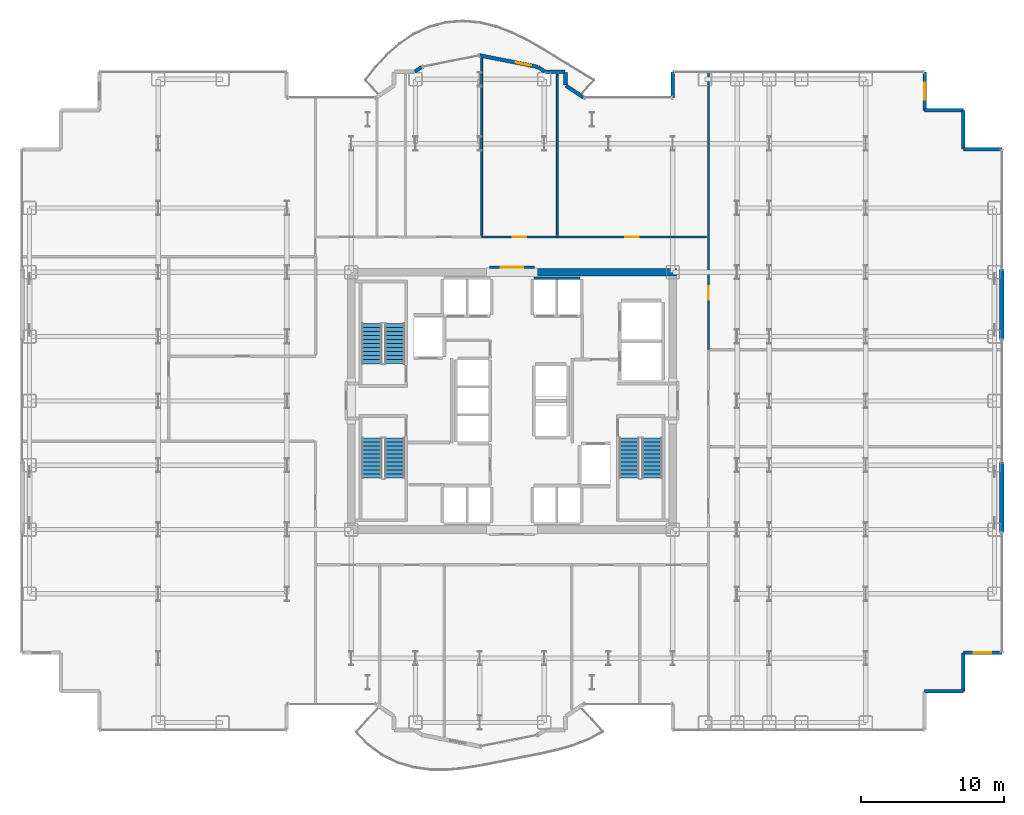
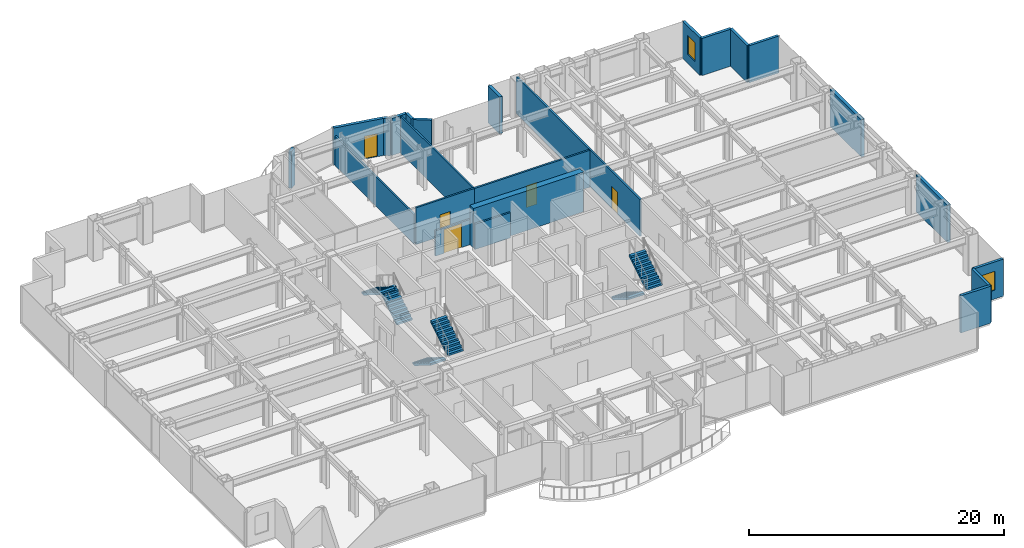
# One storey, part 26 of 28: 24 walls, 6 stair flights, 5 doors, 2 windows, 7 openings, 3 elements without a shape of their own.
"""IFC4 building model written with IfcOpenShell, lengths in metres."""

from ifc_helpers import new_model, si_unit, direction, frame, frame_2d, origin, place, context, subcontext, project, spatial, polyline, rectangle, outline, extrude, source, transform, mapped, material, layer, layer_set, type_object, element, fill, aggregate, save


model = new_model("IFC4")

# Units and contexts
model_context = context("Model", 3, precision=1e-05, world=origin(), true_north=direction((0.0, 1.0)))
body_context = subcontext(model_context, "Body", "Model", "MODEL_VIEW")
ifc_project = project(units=[si_unit("LENGTHUNIT", "METRE"), si_unit("AREAUNIT", "SQUARE_METRE"), si_unit("VOLUMEUNIT", "CUBIC_METRE"), si_unit("PLANEANGLEUNIT", "RADIAN"), si_unit("MASSUNIT", "GRAM", prefix="KILO")], contexts=[model_context])

# Site, building, storey
site_placement = place(None, origin())
site = spatial("IfcSite", under=ifc_project, at=site_placement, CompositionType="ELEMENT")
building_placement = place(site_placement, origin())
building = spatial("IfcBuilding", under=site, at=building_placement, Name="Nefas-Gora Pilgrimage Tower", CompositionType="ELEMENT")
storey_placement = place(building_placement, frame((0.0, 0.0, 102.199951171875)))
storey = spatial("IfcBuildingStorey", under=building, at=storey_placement, Name="L24", CompositionType="ELEMENT", Elevation=102.199951171875)

# Walls
ifc_material_1 = material(Name="Concrete C60/75", Category="concrete")
ifc_layer_1 = layer(ifc_material_1, 0.550048828125)
ifc_layer_set_1 = layer_set([ifc_layer_1], Name="Concrete C60/75")
wall_type_1 = type_object("IfcWallType", Name="SW-CORE-550", PredefinedType="SHEAR", material=ifc_layer_set_1)
shared_shape_1 = source(origin(), body_context, "Body", "SweptSolid", [
    extrude(rectangle(XDim=9.974853515625, YDim=0.550048828125, at=frame_2d((4.9873046875, 0.0))), origin(), (0.0, 0.0, 1.0), 3.800048828125),
])
wall_1_placement = place(storey_placement, frame((1.550048828125, 9.0, 0.0), z_axis=(0.0, 0.0, 1.0), x_axis=(1.0, 0.0, 0.0)))
element("IfcWall", 1, at=wall_1_placement, inside=storey, type_object=wall_type_1, Name="L24 Core Shear Wall N-East", PredefinedType="SHEAR", context=body_context, shape_type="MappedRepresentation", body=[
    mapped(shared_shape_1, transform((0.0, 0.0, 0.0), x_axis=(1.0, 0.0, 0.0), y_axis=(0.0, 1.0, 0.0), z_axis=(0.0, 0.0, 1.0), scale=1.0)),
])
ifc_material_2 = material(Name="Precast concrete C45/55", Category="concrete")
ifc_layer_2 = layer(ifc_material_2, 0.239990234375)
ifc_layer_set_2 = layer_set([ifc_layer_2], Name="Precast concrete C45/55")
wall_type_2 = type_object("IfcWallType", Name="EW-SERR-240", PredefinedType="SHEAR", material=ifc_layer_set_2)
shared_shape_2 = source(origin(), body_context, "Body", "SweptSolid", [
    extrude(rectangle(XDim=4.8798828125, YDim=0.300048828125, at=frame_2d((2.43994140625, 0.0))), origin(), (0.0, 0.0, 1.0), 3.550048828125),
])
for number, where, z_axis, x_axis, name in (
    (2, (34.27001953125, -9.18994140625, 0.0), (0.0, 0.0, 1.0), (0.0, 1.0, 0.0), "L24 Braced-Tube Precast Shear Cladding 3"),
    (3, (34.27001953125, 4.31005859375, 0.0), (0.0, 0.0, 1.0), (0.0, 1.0, 0.0), "L24 Braced-Tube Precast Shear Cladding 4"),
):
    element("IfcWall", number, at=place(storey_placement, frame(where, z_axis=z_axis, x_axis=x_axis)), inside=storey, type_object=wall_type_2, Name=name, PredefinedType="SHEAR", context=body_context, shape_type="MappedRepresentation", body=[
        mapped(shared_shape_2, transform((0.0, 0.0, 0.0), x_axis=(1.0, 0.0, 0.0), y_axis=(0.0, 1.0, 0.0), z_axis=(0.0, 0.0, 1.0), scale=1.0)),
    ])
ifc_material_3 = material(Name="Precast concrete C40/50", Category="concrete")
ifc_layer_3 = layer(ifc_material_3, 0.260009765625)
ifc_layer_set_3 = layer_set([ifc_layer_3], Name="Precast concrete C40/50")
wall_type_3 = type_object("IfcWallType", Name="EW-PORTAL-260", PredefinedType="SOLIDWALL", material=ifc_layer_set_3)
shared_shape_3 = source(origin(), body_context, "Body", "SweptSolid", [
    extrude(rectangle(XDim=1.800048828125, YDim=0.260009765625, at=frame_2d((0.89990234375, 0.0))), origin(), (0.0, 0.0, 1.0), 3.550048828125),
])
wall_2_placement = place(storey_placement, frame((11.25, 23.02001953125, 0.0), z_axis=(0.0, 0.0, 1.0), x_axis=(0.0, -1.0, 0.0)))
element("IfcWall", 4, at=wall_2_placement, inside=storey, type_object=wall_type_3, Name="L24 Lobe Shoulder Precast Spandrel Pier 14", PredefinedType="SOLIDWALL", context=body_context, shape_type="MappedRepresentation", body=[
    mapped(shared_shape_3, transform((0.0, 0.0, 0.0), x_axis=(1.0, 0.0, 0.0), y_axis=(0.0, 1.0, 0.0), z_axis=(0.0, 0.0, 1.0), scale=1.0)),
])
shared_shape_4 = source(origin(), body_context, "Body", "SweptSolid", [
    extrude(rectangle(XDim=2.699951171875, YDim=0.239990234375, at=frame_2d((1.35009765625, 0.0))), origin(), (0.0, 0.0, 1.0), 3.550048828125),
])
for number, where, z_axis, x_axis, name in (
    (5, (28.8701171875, -20.320068359375, 0.0), (0.0, 0.0, 1.0), (1.0, 0.0, 0.0), "L24 Serrated Corner Shear Pier Wall 7"),
    (6, (31.570068359375, -20.320068359375, 0.0), (0.0, 0.0, 1.0), (0.0, 1.0, 0.0), "L24 Serrated Corner Shear Pier Wall 8"),
):
    element("IfcWall", number, at=place(storey_placement, frame(where, z_axis=z_axis, x_axis=x_axis)), inside=storey, type_object=wall_type_2, Name=name, PredefinedType="SHEAR", context=body_context, shape_type="MappedRepresentation", body=[
        mapped(shared_shape_4, transform((0.0, 0.0, 0.0), x_axis=(1.0, 0.0, 0.0), y_axis=(0.0, 1.0, 0.0), z_axis=(0.0, 0.0, 1.0), scale=1.0)),
    ])

# Wall, opening, window
wall_3_placement = place(storey_placement, frame((31.570068359375, -17.6201171875, 0.0), z_axis=(0.0, 0.0, 1.0), x_axis=(1.0, 0.0, 0.0)))
wall_3 = element("IfcWall", 7, at=wall_3_placement, inside=storey, type_object=wall_type_2, Name="L24 Serrated Corner Shear Pier Wall 9", PredefinedType="SHEAR", context=body_context, shape_type="MappedRepresentation", body=[
    mapped(shared_shape_4, transform((0.0, 0.0, 0.0), x_axis=(1.0, 0.0, 0.0), y_axis=(0.0, 1.0, 0.0), z_axis=(0.0, 0.0, 1.0), scale=1.0)),
])
opening_1_placement = place(wall_3_placement, frame((0.75, 0.0, 0.85009765625)))
opening_1 = element("IfcOpeningElement", 8, at=opening_1_placement, cuts=wall_3, Name="Opening W-V1", PredefinedType="OPENING", context=body_context, shape_type="SweptSolid", body=[
    extrude(rectangle(XDim=1.199951171875, YDim=1.800048828125, at=frame_2d((0.60009765625, 0.89990234375))), frame((0.0, 0.1298828125, 0.0), z_axis=(0.0, -1.0, 0.0), x_axis=(1.0, 0.0, 0.0)), (0.0, 0.0, 1.0), 0.260009765625),
])
ifc_material_4 = material(Name="Dark ceramic-fritted operable aluminium-glass window", Category="aluminium")
window_type = type_object("IfcWindowType", Name="WIN-VENT-1200x1800", PartitioningType="SINGLE_PANEL", PredefinedType="WINDOW", material=ifc_material_4)
shared_shape_5 = source(origin(), body_context, "Body", "SweptSolid", [
    extrude(rectangle(XDim=1.199951171875, YDim=1.800048828125, at=frame_2d((0.60009765625, 0.89990234375))), frame((0.0, 0.030029296875, 0.0), z_axis=(0.0, -1.0, 0.0), x_axis=(1.0, 0.0, 0.0)), (0.0, 0.0, 1.0), 0.06005859375),
])
window_1_placement = place(opening_1_placement, origin())
window_1 = element("IfcWindow", 9, at=window_1_placement, inside=storey, type_object=window_type, Name="L24 Operable Parallel-Outswing Window 9", OverallHeight=1.800048828125, OverallWidth=1.199951171875, PartitioningType="SINGLE_PANEL", PredefinedType="WINDOW", context=body_context, shape_type="MappedRepresentation", body=[
    mapped(shared_shape_5, transform((0.0, 0.0, 0.0), x_axis=(1.0, 0.0, 0.0), y_axis=(0.0, 1.0, 0.0), z_axis=(0.0, 0.0, 1.0), scale=1.0)),
])
fill(opening_1, window_1)

# Walls
for number, where, z_axis, x_axis, name in (
    (10, (34.27001953125, 17.6201171875, 0.0), (0.0, 0.0, 1.0), (-1.0, 0.0, 0.0), "L24 Serrated Corner Shear Pier Wall 10"),
    (11, (31.570068359375, 17.6201171875, 0.0), (0.0, 0.0, 1.0), (0.0, 1.0, 0.0), "L24 Serrated Corner Shear Pier Wall 11"),
    (12, (31.570068359375, 20.320068359375, 0.0), (0.0, 0.0, 1.0), (-1.0, 0.0, 0.0), "L24 Serrated Corner Shear Pier Wall 12"),
):
    element("IfcWall", number, at=place(storey_placement, frame(where, z_axis=z_axis, x_axis=x_axis)), inside=storey, type_object=wall_type_2, Name=name, PredefinedType="SHEAR", context=body_context, shape_type="MappedRepresentation", body=[
        mapped(shared_shape_4, transform((0.0, 0.0, 0.0), x_axis=(1.0, 0.0, 0.0), y_axis=(0.0, 1.0, 0.0), z_axis=(0.0, 0.0, 1.0), scale=1.0)),
    ])

# Wall, opening, window
wall_4_placement = place(storey_placement, frame((28.8701171875, 20.320068359375, 0.0), z_axis=(0.0, 0.0, 1.0), x_axis=(0.0, 1.0, 0.0)))
wall_4 = element("IfcWall", 13, at=wall_4_placement, inside=storey, type_object=wall_type_2, Name="L24 Serrated Corner Shear Pier Wall 13", PredefinedType="SHEAR", context=body_context, shape_type="MappedRepresentation", body=[
    mapped(shared_shape_4, transform((0.0, 0.0, 0.0), x_axis=(1.0, 0.0, 0.0), y_axis=(0.0, 1.0, 0.0), z_axis=(0.0, 0.0, 1.0), scale=1.0)),
])
opening_2_placement = place(wall_4_placement, frame((0.75, 0.0, 0.85009765625)))
opening_2 = element("IfcOpeningElement", 14, at=opening_2_placement, cuts=wall_4, Name="Opening W-V1", PredefinedType="OPENING", context=body_context, shape_type="SweptSolid", body=[
    extrude(rectangle(XDim=1.199951171875, YDim=1.800048828125, at=frame_2d((0.60009765625, 0.89990234375))), frame((0.0, 0.1298828125, 0.0), z_axis=(0.0, -1.0, 0.0), x_axis=(1.0, 0.0, 0.0)), (0.0, 0.0, 1.0), 0.260009765625),
])
window_2_placement = place(opening_2_placement, origin())
window_2 = element("IfcWindow", 15, at=window_2_placement, inside=storey, type_object=window_type, Name="L24 Operable Parallel-Outswing Window 13", OverallHeight=1.800048828125, OverallWidth=1.199951171875, PartitioningType="SINGLE_PANEL", PredefinedType="WINDOW", context=body_context, shape_type="MappedRepresentation", body=[
    mapped(shared_shape_5, transform((0.0, 0.0, 0.0), x_axis=(1.0, 0.0, 0.0), y_axis=(0.0, 1.0, 0.0), z_axis=(0.0, 0.0, 1.0), scale=1.0)),
])
fill(opening_2, window_2)

# Walls
shared_shape_6 = source(origin(), body_context, "Body", "SweptSolid", [
    extrude(rectangle(XDim=1.468994140625, YDim=0.260009765625, at=frame_2d((0.734375, 0.0))), origin(), (0.0, 0.0, 1.0), 3.550048828125),
])
wall_5_placement = place(storey_placement, frame((4.99462890625, 21.235595703125, 0.0), z_axis=(0.0, 0.0, 1.0), x_axis=(-0.831461760506, 0.555581983884, 0.0)))
element("IfcWall", 16, at=wall_5_placement, inside=storey, type_object=wall_type_3, Name="L24 Lobe Shoulder Precast Spandrel Pier 15", PredefinedType="SOLIDWALL", context=body_context, shape_type="MappedRepresentation", body=[
    mapped(shared_shape_6, transform((0.0, 0.0, 0.0), x_axis=(1.0, 0.0, 0.0), y_axis=(0.0, 1.0, 0.0), z_axis=(0.0, 0.0, 1.0), scale=1.0)),
])
shared_shape_7 = source(origin(), body_context, "Body", "SweptSolid", [
    extrude(rectangle(XDim=0.896728515625, YDim=0.260009765625, at=frame_2d((0.4482421875, 0.0))), origin(), (0.0, 0.0, 1.0), 3.550048828125),
])
wall_6_placement = place(storey_placement, frame((3.75, 22.09521484375, 0.0), z_axis=(0.0, 0.0, 1.0), x_axis=(0.0, 1.0, 0.0)))
element("IfcWall", 17, at=wall_6_placement, inside=storey, type_object=wall_type_3, Name="L24 Lobe Shoulder Precast Spandrel Pier 16", PredefinedType="SOLIDWALL", context=body_context, shape_type="MappedRepresentation", body=[
    mapped(shared_shape_7, transform((0.0, 0.0, 0.0), x_axis=(1.0, 0.0, 0.0), y_axis=(0.0, 1.0, 0.0), z_axis=(0.0, 0.0, 1.0), scale=1.0)),
])
shared_shape_8 = source(origin(), body_context, "Body", "SweptSolid", [
    extrude(rectangle(XDim=1.369873046875, YDim=0.260009765625, at=frame_2d((0.68505859375, 0.0))), origin(), (0.0, 0.0, 1.0), 3.550048828125),
])
wall_7_placement = place(storey_placement, frame((3.721923828125, 23.02001953125, 0.0), z_axis=(0.0, 0.0, 1.0), x_axis=(-1.0, 0.0, 0.0)))
element("IfcWall", 18, at=wall_7_placement, inside=storey, type_object=wall_type_3, Name="L24 Lobe Shoulder Precast Spandrel Pier 17", PredefinedType="SOLIDWALL", context=body_context, shape_type="MappedRepresentation", body=[
    mapped(shared_shape_8, transform((0.0, 0.0, 0.0), x_axis=(1.0, 0.0, 0.0), y_axis=(0.0, 1.0, 0.0), z_axis=(0.0, 0.0, 1.0), scale=1.0)),
])
shared_shape_9 = source(origin(), body_context, "Body", "SweptSolid", [
    extrude(rectangle(XDim=0.5654296875, YDim=0.260009765625, at=frame_2d((0.28271484375, 0.0))), origin(), (0.0, 0.0, 1.0), 3.550048828125),
])
for number, where, z_axis, x_axis, name in (
    (19, (2.30078125, 23.03564453125, 0.0), (0.0, 0.0, 1.0), (-0.831651492666, 0.555297933317, 0.0), "L24 Lobe Shoulder Precast Spandrel Pier 18"),
    (20, (-6.33056640625, 23.349609375, 0.0), (0.0, 0.0, 1.0), (-0.831651492666, -0.555297933317, 0.0), "L24 Lobe Shoulder Precast Spandrel Pier 20"),
):
    element("IfcWall", number, at=place(storey_placement, frame(where, z_axis=z_axis, x_axis=x_axis)), inside=storey, type_object=wall_type_3, Name=name, PredefinedType="SOLIDWALL", context=body_context, shape_type="MappedRepresentation", body=[
        mapped(shared_shape_9, transform((0.0, 0.0, 0.0), x_axis=(1.0, 0.0, 0.0), y_axis=(0.0, 1.0, 0.0), z_axis=(0.0, 0.0, 1.0), scale=1.0)),
    ])

# Wall, opening, door
shared_shape_10 = source(origin(), body_context, "Body", "SweptSolid", [
    extrude(rectangle(XDim=4.136962890625, YDim=0.260009765625, at=frame_2d((2.068359375, 0.0))), origin(), (0.0, 0.0, 1.0), 3.550048828125),
])
wall_8_placement = place(storey_placement, frame((1.807373046875, 23.365234375, 0.0), z_axis=(0.0, 0.0, 1.0), x_axis=(-0.980782170794, 0.195105954428, 0.0)))
wall_8 = element("IfcWall", 21, at=wall_8_placement, inside=storey, type_object=wall_type_3, Name="L24 Insulated Terrace Portal Wall 19", PredefinedType="SOLIDWALL", context=body_context, shape_type="MappedRepresentation", body=[
    mapped(shared_shape_10, transform((0.0, 0.0, 0.0), x_axis=(1.0, 0.0, 0.0), y_axis=(0.0, 1.0, 0.0), z_axis=(0.0, 0.0, 1.0), scale=1.0)),
])
opening_3_placement = place(wall_8_placement, frame((0.48779296875, 0.0, 0.0)))
opening_3 = element("IfcOpeningElement", 22, at=opening_3_placement, cuts=wall_8, Name="Opening ED-B1", PredefinedType="OPENING", context=body_context, shape_type="SweptSolid", body=[
    extrude(rectangle(XDim=1.10009765625, YDim=2.199951171875, at=frame_2d((0.550048828125, 1.10009765625))), frame((0.0, 0.139892578125, 0.0), z_axis=(0.0, -1.0, 0.0), x_axis=(1.0, 0.0, 0.0)), (0.0, 0.0, 1.0), 0.280029296875),
])
ifc_material_5 = material(Name="Thermally broken glazed aluminium balcony door", Category="aluminium")
door_type_1 = type_object("IfcDoorType", Name="DR-EXT-BAL-1100", OperationType="NOTDEFINED", PredefinedType="DOOR", material=ifc_material_5)
shared_shape_11 = source(origin(), body_context, "Body", "SweptSolid", [
    extrude(rectangle(XDim=1.10009765625, YDim=2.199951171875, at=frame_2d((0.550048828125, 1.10009765625))), frame((0.0, 0.02490234375, 0.0), z_axis=(0.0, -1.0, 0.0), x_axis=(1.0, 0.0, 0.0)), (0.0, 0.0, 1.0), 0.050048828125),
])
door_1_placement = place(opening_3_placement, origin())
door_1 = element("IfcDoor", 23, at=door_1_placement, inside=storey, type_object=door_type_1, Name="L24 Exterior Door (L24 N Lobe Wave Balcony)", OperationType="SINGLE_SWING_LEFT", OverallHeight=2.199951171875, OverallWidth=1.10009765625, PredefinedType="DOOR", context=body_context, shape_type="MappedRepresentation", body=[
    mapped(shared_shape_11, transform((0.0, 0.0, 0.0), x_axis=(1.0, 0.0, 0.0), y_axis=(0.0, 1.0, 0.0), z_axis=(0.0, 0.0, 1.0), scale=1.0)),
])
fill(opening_3, door_1)

# Wall
ifc_material_6 = material(Name="Gypsum acoustic stud partition")
ifc_layer_4 = layer(ifc_material_6, 0.159912109375)
ifc_layer_set_4 = layer_set([ifc_layer_4], Name="Gypsum acoustic stud partition")
wall_type_4 = type_object("IfcWallType", Name="IW-CORR-160", PredefinedType="PARTITIONING", material=ifc_layer_set_4)
shared_shape_12 = source(origin(), body_context, "Body", "SweptSolid", [
    extrude(rectangle(XDim=3.199951171875, YDim=0.159912109375, at=frame_2d((1.60009765625, 0.0))), origin(), (0.0, 0.0, 1.0), 2.425048828125),
])
wall_9_placement = place(storey_placement, frame((4.75, 8.580078125, 0.0), z_axis=(0.0, 0.0, 1.0), x_axis=(-1.0, 0.0, 0.0)))
element("IfcWall", 24, at=wall_9_placement, inside=storey, type_object=wall_type_4, Name="L24 Hoistway Wall PL1-E-N", PredefinedType="PARTITIONING", context=body_context, shape_type="MappedRepresentation", body=[
    mapped(shared_shape_12, transform((0.0, 0.0, 0.0), x_axis=(1.0, 0.0, 0.0), y_axis=(0.0, 1.0, 0.0), z_axis=(0.0, 0.0, 1.0), scale=1.0)),
])

# Wall, opening, door
shared_shape_13 = source(origin(), body_context, "Body", "SweptSolid", [
    extrude(rectangle(XDim=3.16015625, YDim=0.159912109375, at=frame_2d((1.580078125, 0.0))), origin(), (0.0, 0.0, 1.0), 2.425048828125),
])
wall_10_placement = place(storey_placement, frame((-1.580078125, 9.35009765625, 0.0), z_axis=(0.0, 0.0, 1.0), x_axis=(1.0, 0.0, 0.0)))
wall_10 = element("IfcWall", 25, at=wall_10_placement, inside=storey, type_object=wall_type_4, Name="L24 Central Lift Lobby North Portal Wall 13", PredefinedType="PARTITIONING", context=body_context, shape_type="MappedRepresentation", body=[
    mapped(shared_shape_13, transform((0.0, 0.0, 0.0), x_axis=(1.0, 0.0, 0.0), y_axis=(0.0, 1.0, 0.0), z_axis=(0.0, 0.0, 1.0), scale=1.0)),
])
opening_4_placement = place(wall_10_placement, frame((0.780029296875, 0.0, 0.0)))
opening_4 = element("IfcOpeningElement", 26, at=opening_4_placement, cuts=wall_10, Name="Opening ID-HL1", PredefinedType="OPENING", context=body_context, shape_type="SweptSolid", body=[
    extrude(rectangle(XDim=1.60009765625, YDim=2.300048828125, at=frame_2d((0.800048828125, 1.14990234375))), frame((0.0, 0.08984375, 0.0), z_axis=(0.0, -1.0, 0.0), x_axis=(1.0, 0.0, 0.0)), (0.0, 0.0, 1.0), 0.179931640625),
])
ifc_material_7 = material(Name="Double acoustic timber assembly hall door", Category="wood")
door_type_2 = type_object("IfcDoorType", Name="DR-INT-HALL-1600", OperationType="DOUBLE_DOOR_SINGLE_SWING", PredefinedType="DOOR", material=ifc_material_7)
shared_shape_14 = source(origin(), body_context, "Body", "SweptSolid", [
    extrude(rectangle(XDim=1.60009765625, YDim=2.300048828125, at=frame_2d((0.800048828125, 1.14990234375))), frame((0.0, 0.02490234375, 0.0), z_axis=(0.0, -1.0, 0.0), x_axis=(1.0, 0.0, 0.0)), (0.0, 0.0, 1.0), 0.050048828125),
])
door_2_placement = place(opening_4_placement, origin())
door_2 = element("IfcDoor", 27, at=door_2_placement, inside=storey, type_object=door_type_2, Name="L24 Central Lift Lobby North Portal Door 4", OperationType="DOUBLE_DOOR_SINGLE_SWING", OverallHeight=2.300048828125, OverallWidth=1.60009765625, PredefinedType="DOOR", context=body_context, shape_type="MappedRepresentation", body=[
    mapped(shared_shape_14, transform((0.0, 0.0, 0.0), x_axis=(1.0, 0.0, 0.0), y_axis=(0.0, 1.0, 0.0), z_axis=(0.0, 0.0, 1.0), scale=1.0)),
])
fill(opening_4, door_2)

# Wall
ifc_material_8 = material(Name="Gypsum twin-stud partition")
ifc_layer_5 = layer(ifc_material_8, 0.139892578125)
ifc_layer_set_5 = layer_set([ifc_layer_5], Name="Gypsum twin-stud partition")
wall_type_5 = type_object("IfcWallType", Name="IW-UNIT-140", PredefinedType="PARTITIONING", material=ifc_layer_set_5)
shared_shape_15 = source(origin(), body_context, "Body", "SweptSolid", [
    extrude(rectangle(XDim=11.260009765625, YDim=0.139892578125, at=frame_2d((5.6298828125, 0.0))), origin(), (0.0, 0.0, 1.0), 3.53515625),
])
wall_11_placement = place(storey_placement, frame((3.169921875, 11.590087890625, 0.0), z_axis=(0.0, 0.0, 1.0), x_axis=(0.0, 1.0, 0.0)))
element("IfcWall", 28, at=wall_11_placement, inside=storey, type_object=wall_type_5, Name="L24 Pilgrim Contemplative Lounge Partition Wall 37", PredefinedType="PARTITIONING", context=body_context, shape_type="MappedRepresentation", body=[
    mapped(shared_shape_15, transform((0.0, 0.0, 0.0), x_axis=(1.0, 0.0, 0.0), y_axis=(0.0, 1.0, 0.0), z_axis=(0.0, 0.0, 1.0), scale=1.0)),
])

# Wall, opening, door
shared_shape_16 = source(origin(), body_context, "Body", "SweptSolid", [
    extrude(rectangle(XDim=19.445068359375, YDim=0.159912109375, at=frame_2d((9.72265625, 0.0))), origin(), (0.0, 0.0, 1.0), 3.53515625),
])
wall_12_placement = place(storey_placement, frame((13.739990234375, 3.594970703125, 0.0), z_axis=(0.0, 0.0, 1.0), x_axis=(0.0, 1.0, 0.0)))
wall_12 = element("IfcWall", 29, at=wall_12_placement, inside=storey, type_object=wall_type_4, Name="L24 Pilgrim Fellowship Seminar Room Partition Wall 34", PredefinedType="PARTITIONING", context=body_context, shape_type="MappedRepresentation", body=[
    mapped(shared_shape_16, transform((0.0, 0.0, 0.0), x_axis=(1.0, 0.0, 0.0), y_axis=(0.0, 1.0, 0.0), z_axis=(0.0, 0.0, 1.0), scale=1.0)),
])
opening_5_placement = place(wall_12_placement, frame((3.482421875, 0.0, 0.0)))
opening_5 = element("IfcOpeningElement", 30, at=opening_5_placement, cuts=wall_12, Name="Opening ID-GR1", PredefinedType="OPENING", context=body_context, shape_type="SweptSolid", body=[
    extrude(rectangle(XDim=0.949951171875, YDim=2.10009765625, at=frame_2d((0.47509765625, 1.050048828125))), frame((0.0, 0.08984375, 0.0), z_axis=(0.0, -1.0, 0.0), x_axis=(1.0, 0.0, 0.0)), (0.0, 0.0, 1.0), 0.179931640625),
])
ifc_material_9 = material(Name="Solid core oak fire-rated guest entrance door")
door_type_3 = type_object("IfcDoorType", Name="DR-INT-GUEST-950", OperationType="NOTDEFINED", PredefinedType="DOOR", material=ifc_material_9)
shared_shape_17 = source(origin(), body_context, "Body", "SweptSolid", [
    extrude(rectangle(XDim=0.949951171875, YDim=2.10009765625, at=frame_2d((0.47509765625, 1.050048828125))), frame((0.0, 0.02490234375, 0.0), z_axis=(0.0, -1.0, 0.0), x_axis=(1.0, 0.0, 0.0)), (0.0, 0.0, 1.0), 0.050048828125),
])
door_3_placement = place(opening_5_placement, origin())
door_3 = element("IfcDoor", 31, at=door_3_placement, inside=storey, type_object=door_type_3, Name="L24 Pilgrim Fellowship Seminar Room Door 15", OperationType="SINGLE_SWING_LEFT", OverallHeight=2.10009765625, OverallWidth=0.949951171875, PredefinedType="DOOR", context=body_context, shape_type="MappedRepresentation", body=[
    mapped(shared_shape_17, transform((0.0, 0.0, 0.0), x_axis=(1.0, 0.0, 0.0), y_axis=(0.0, 1.0, 0.0), z_axis=(0.0, 0.0, 1.0), scale=1.0)),
])
fill(opening_5, door_3)

shared_shape_18 = source(origin(), body_context, "Body", "SweptSolid", [
    extrude(rectangle(XDim=10.460205078125, YDim=0.159912109375, at=frame_2d((5.22998046875, 0.0))), origin(), (0.0, 0.0, 1.0), 3.53515625),
])
wall_13_placement = place(storey_placement, frame((3.159912109375, 11.469970703125, 0.0), z_axis=(0.0, 0.0, 1.0), x_axis=(1.0, 0.0, 0.0)))
wall_13 = element("IfcWall", 32, at=wall_13_placement, inside=storey, type_object=wall_type_4, Name="L24 Pilgrim Contemplative Lounge Partition Wall 36", PredefinedType="PARTITIONING", context=body_context, shape_type="MappedRepresentation", body=[
    mapped(shared_shape_18, transform((0.0, 0.0, 0.0), x_axis=(1.0, 0.0, 0.0), y_axis=(0.0, 1.0, 0.0), z_axis=(0.0, 0.0, 1.0), scale=1.0)),
])
opening_6_placement = place(wall_13_placement, frame((4.7548828125, 0.0, 0.0)))
opening_6 = element("IfcOpeningElement", 33, at=opening_6_placement, cuts=wall_13, Name="Opening ID-GR1", PredefinedType="OPENING", context=body_context, shape_type="SweptSolid", body=[
    extrude(rectangle(XDim=0.949951171875, YDim=2.10009765625, at=frame_2d((0.47509765625, 1.050048828125))), frame((0.0, 0.08984375, 0.0), z_axis=(0.0, -1.0, 0.0), x_axis=(1.0, 0.0, 0.0)), (0.0, 0.0, 1.0), 0.179931640625),
])
door_4_placement = place(opening_6_placement, origin())
door_4 = element("IfcDoor", 34, at=door_4_placement, inside=storey, type_object=door_type_3, Name="L24 Pilgrim Contemplative Lounge Door 17", OperationType="SINGLE_SWING_LEFT", OverallHeight=2.10009765625, OverallWidth=0.949951171875, PredefinedType="DOOR", context=body_context, shape_type="MappedRepresentation", body=[
    mapped(shared_shape_17, transform((0.0, 0.0, 0.0), x_axis=(1.0, 0.0, 0.0), y_axis=(0.0, 1.0, 0.0), z_axis=(0.0, 0.0, 1.0), scale=1.0)),
])
fill(opening_6, door_4)

shared_shape_19 = source(origin(), body_context, "Body", "SweptSolid", [
    extrude(rectangle(XDim=5.282470703125, YDim=0.159912109375, at=frame_2d((2.64111328125, 0.0))), origin(), (0.0, 0.0, 1.0), 3.53515625),
])
wall_14_placement = place(storey_placement, frame((-2.12255859375, 11.469970703125, 0.0), z_axis=(0.0, 0.0, 1.0), x_axis=(1.0, 0.0, 0.0)))
wall_14 = element("IfcWall", 35, at=wall_14_placement, inside=storey, type_object=wall_type_4, Name="L24 Pilgrim Contemplative Lounge Partition Wall 40", PredefinedType="PARTITIONING", context=body_context, shape_type="MappedRepresentation", body=[
    mapped(shared_shape_19, transform((0.0, 0.0, 0.0), x_axis=(1.0, 0.0, 0.0), y_axis=(0.0, 1.0, 0.0), z_axis=(0.0, 0.0, 1.0), scale=1.0)),
])
opening_7_placement = place(wall_14_placement, frame((2.166259765625, 0.0, 0.0)))
opening_7 = element("IfcOpeningElement", 36, at=opening_7_placement, cuts=wall_14, Name="Opening ID-GR1", PredefinedType="OPENING", context=body_context, shape_type="SweptSolid", body=[
    extrude(rectangle(XDim=0.949951171875, YDim=2.10009765625, at=frame_2d((0.47509765625, 1.050048828125))), frame((0.0, 0.08984375, 0.0), z_axis=(0.0, -1.0, 0.0), x_axis=(1.0, 0.0, 0.0)), (0.0, 0.0, 1.0), 0.179931640625),
])
door_5_placement = place(opening_7_placement, origin())
door_5 = element("IfcDoor", 37, at=door_5_placement, inside=storey, type_object=door_type_3, Name="L24 Pilgrim Contemplative Lounge Door 19", OperationType="SINGLE_SWING_LEFT", OverallHeight=2.10009765625, OverallWidth=0.949951171875, PredefinedType="DOOR", context=body_context, shape_type="MappedRepresentation", body=[
    mapped(shared_shape_17, transform((0.0, 0.0, 0.0), x_axis=(1.0, 0.0, 0.0), y_axis=(0.0, 1.0, 0.0), z_axis=(0.0, 0.0, 1.0), scale=1.0)),
])
fill(opening_7, door_5)

# Wall
shared_shape_20 = source(origin(), body_context, "Body", "SweptSolid", [
    extrude(rectangle(XDim=12.3857421875, YDim=0.139892578125, at=frame_2d((6.19287109375, 0.0))), origin(), (0.0, 0.0, 1.0), 2.824951171875),
])
wall_15_placement = place(storey_placement, frame((-2.132568359375, 11.590087890625, 0.0), z_axis=(0.0, 0.0, 1.0), x_axis=(0.0, 1.0, 0.0)))
element("IfcWall", 38, at=wall_15_placement, inside=storey, type_object=wall_type_5, Name="L24 Pilgrim Contemplative Lounge Partition Wall 39", PredefinedType="PARTITIONING", context=body_context, shape_type="MappedRepresentation", body=[
    mapped(shared_shape_20, transform((0.0, 0.0, 0.0), x_axis=(1.0, 0.0, 0.0), y_axis=(0.0, 1.0, 0.0), z_axis=(0.0, 0.0, 1.0), scale=1.0)),
])

# Stair, stair flights
ifc_material_10 = material(Name="Concrete C45/55", Category="concrete")
stair_type = type_object("IfcStairType", Name="STR-1400-R1727", PredefinedType="HALF_TURN_STAIR", material=ifc_material_10)
stair_1_placement = place(storey_placement, origin())
stair_1 = element("IfcStair", 39, at=stair_1_placement, inside=storey, type_object=stair_type, Name="L24 Pressurised Tower Exit Stair ST-01", PredefinedType="HALF_TURN_STAIR")
stair_flight_type = type_object("IfcStairFlightType", Name="STF-1400-R1727", PredefinedType="STRAIGHT", material=ifc_material_10)
shared_shape_21 = source(origin(), body_context, "Body", "SweptSolid", [
    extrude(outline(polyline([(0.0, 0.0), (0.0, 0.172607421875), (0.280029296875, 0.172607421875), (0.280029296875, 0.345458984375), (0.56005859375, 0.345458984375), (0.56005859375, 0.51806640625), (0.840087890625, 0.51806640625), (0.840087890625, 0.69091796875), (1.1201171875, 0.69091796875), (1.1201171875, 0.863525390625), (1.39990234375, 0.863525390625), (1.39990234375, 1.036376953125), (1.679931640625, 1.036376953125), (1.679931640625, 1.208984375), (1.9599609375, 1.208984375), (1.9599609375, 1.3818359375), (2.239990234375, 1.3818359375), (2.239990234375, 1.554443359375), (2.52001953125, 1.554443359375), (2.52001953125, 1.727294921875), (2.800048828125, 1.727294921875), (2.800048828125, 1.89990234375), (2.800048828125, 1.551025390625), (0.285400390625, 0.0), (0.0, 0.0)])), frame((0.0, 0.699951171875, 0.0), z_axis=(0.0, -1.0, 0.0), x_axis=(1.0, 0.0, 0.0)), (0.0, 0.0, 1.0), 1.39990234375),
])
stair_flight_1_placement = place(storey_placement, frame((-8.199951171875, 2.60009765625, 0.0), z_axis=(0.0, 0.0, 1.0), x_axis=(0.0, 1.0, 0.0)))
stair_flight_1 = element("IfcStairFlight", 40, at=stair_flight_1_placement, type_object=stair_flight_type, Name="ST-01 flight 1", NumberOfRisers=11, NumberOfTreads=10, PredefinedType="STRAIGHT", RiserHeight=0.172727273, TreadLength=0.28, context=body_context, shape_type="MappedRepresentation", body=[
    mapped(shared_shape_21, transform((0.0, 0.0, 0.0), x_axis=(1.0, 0.0, 0.0), y_axis=(0.0, 1.0, 0.0), z_axis=(0.0, 0.0, 1.0), scale=1.0)),
])
stair_flight_2_placement = place(storey_placement, frame((-9.800048828125, 5.39990234375, 1.900146484375), z_axis=(0.0, 0.0, 1.0), x_axis=(0.0, -1.0, 0.0)))
stair_flight_2 = element("IfcStairFlight", 41, at=stair_flight_2_placement, type_object=stair_flight_type, Name="ST-01 flight 2", NumberOfRisers=11, NumberOfTreads=10, PredefinedType="STRAIGHT", RiserHeight=0.172727273, TreadLength=0.28, context=body_context, shape_type="MappedRepresentation", body=[
    mapped(shared_shape_21, transform((0.0, 0.0, 0.0), x_axis=(1.0, 0.0, 0.0), y_axis=(0.0, 1.0, 0.0), z_axis=(0.0, 0.0, 1.0), scale=1.0)),
])
aggregate(stair_1, [stair_flight_1, stair_flight_2])

stair_2_placement = place(storey_placement, origin())
stair_2 = element("IfcStair", 42, at=stair_2_placement, inside=storey, type_object=stair_type, Name="L24 Pressurised Tower Exit Stair ST-02", PredefinedType="HALF_TURN_STAIR")
stair_flight_3_placement = place(storey_placement, frame((8.199951171875, -2.60009765625, 0.0), z_axis=(0.0, 0.0, 1.0), x_axis=(0.0, -1.0, 0.0)))
stair_flight_3 = element("IfcStairFlight", 43, at=stair_flight_3_placement, type_object=stair_flight_type, Name="ST-02 flight 1", NumberOfRisers=11, NumberOfTreads=10, PredefinedType="STRAIGHT", RiserHeight=0.172727273, TreadLength=0.28, context=body_context, shape_type="MappedRepresentation", body=[
    mapped(shared_shape_21, transform((0.0, 0.0, 0.0), x_axis=(1.0, 0.0, 0.0), y_axis=(0.0, 1.0, 0.0), z_axis=(0.0, 0.0, 1.0), scale=1.0)),
])
stair_flight_4_placement = place(storey_placement, frame((9.800048828125, -5.39990234375, 1.900146484375), z_axis=(0.0, 0.0, 1.0), x_axis=(0.0, 1.0, 0.0)))
stair_flight_4 = element("IfcStairFlight", 44, at=stair_flight_4_placement, type_object=stair_flight_type, Name="ST-02 flight 2", NumberOfRisers=11, NumberOfTreads=10, PredefinedType="STRAIGHT", RiserHeight=0.172727273, TreadLength=0.28, context=body_context, shape_type="MappedRepresentation", body=[
    mapped(shared_shape_21, transform((0.0, 0.0, 0.0), x_axis=(1.0, 0.0, 0.0), y_axis=(0.0, 1.0, 0.0), z_axis=(0.0, 0.0, 1.0), scale=1.0)),
])
aggregate(stair_2, [stair_flight_3, stair_flight_4])

stair_3_placement = place(storey_placement, origin())
stair_3 = element("IfcStair", 45, at=stair_3_placement, inside=storey, type_object=stair_type, Name="L24 Pressurised Tower Exit Stair ST-03", PredefinedType="HALF_TURN_STAIR")
stair_flight_5_placement = place(storey_placement, frame((-9.800048828125, -2.60009765625, 0.0), z_axis=(0.0, 0.0, 1.0), x_axis=(0.0, -1.0, 0.0)))
stair_flight_5 = element("IfcStairFlight", 46, at=stair_flight_5_placement, type_object=stair_flight_type, Name="ST-03 flight 1", NumberOfRisers=11, NumberOfTreads=10, PredefinedType="STRAIGHT", RiserHeight=0.172727273, TreadLength=0.28, context=body_context, shape_type="MappedRepresentation", body=[
    mapped(shared_shape_21, transform((0.0, 0.0, 0.0), x_axis=(1.0, 0.0, 0.0), y_axis=(0.0, 1.0, 0.0), z_axis=(0.0, 0.0, 1.0), scale=1.0)),
])
stair_flight_6_placement = place(storey_placement, frame((-8.199951171875, -5.39990234375, 1.900146484375), z_axis=(0.0, 0.0, 1.0), x_axis=(0.0, 1.0, 0.0)))
stair_flight_6 = element("IfcStairFlight", 47, at=stair_flight_6_placement, type_object=stair_flight_type, Name="ST-03 flight 2", NumberOfRisers=11, NumberOfTreads=10, PredefinedType="STRAIGHT", RiserHeight=0.172727273, TreadLength=0.28, context=body_context, shape_type="MappedRepresentation", body=[
    mapped(shared_shape_21, transform((0.0, 0.0, 0.0), x_axis=(1.0, 0.0, 0.0), y_axis=(0.0, 1.0, 0.0), z_axis=(0.0, 0.0, 1.0), scale=1.0)),
])
aggregate(stair_3, [stair_flight_5, stair_flight_6])

save(model, "model.ifc")
